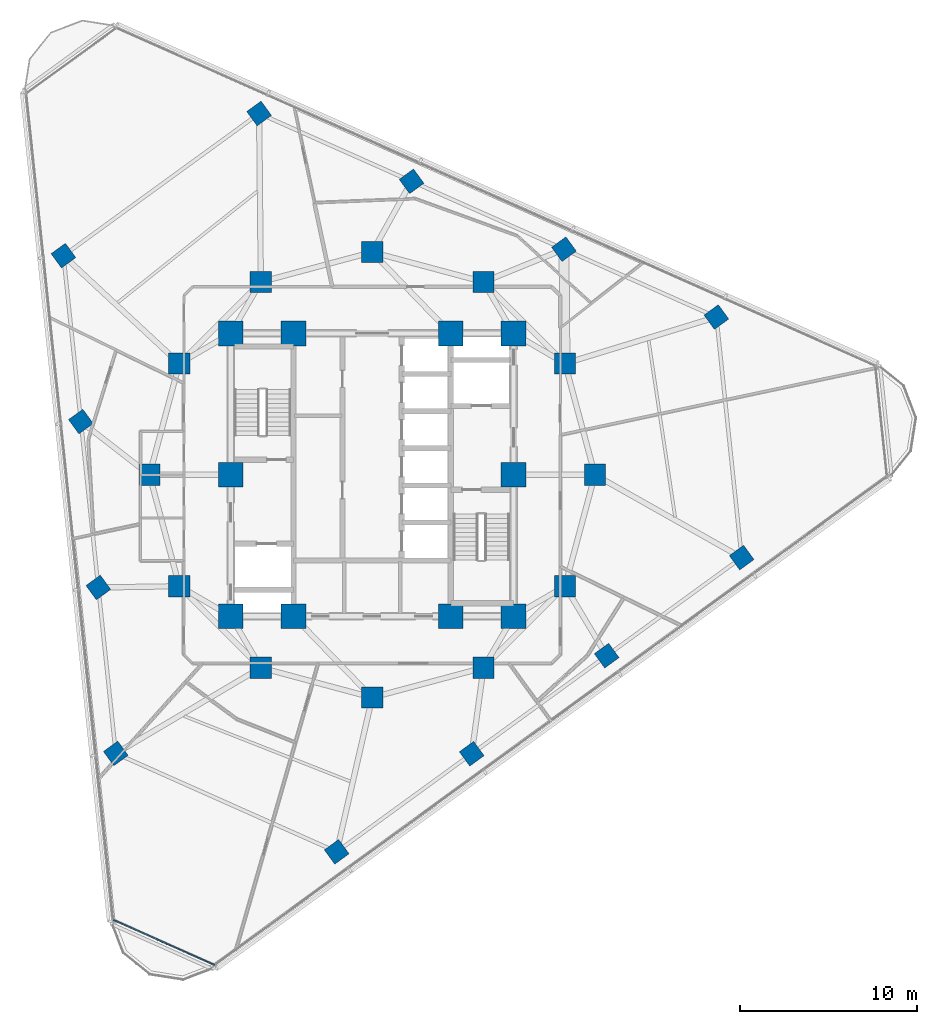
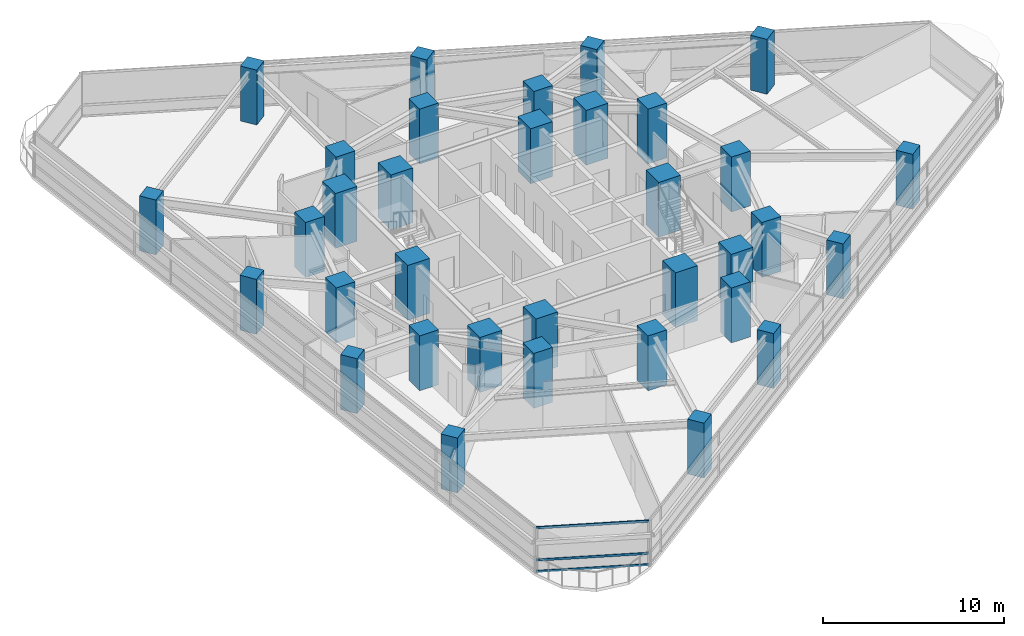
# One storey, part 1 of 14: 34 columns, 3 members, 1 element without a shape of its own.
"""IFC4 building model written with IfcOpenShell, lengths in metres."""

import ifcopenshell
import ifcopenshell.guid

model = None  # the IFC model being written
_history = None  # IfcOwnerHistory: only IFC2X3 demands one
_inside = {}  # id of a spatial element -> (the spatial element, [elements in it])
_under = {}  # id of a project, library or spatial element -> (it, [spatial elements below it])
_declared = {}  # id of a project -> (the project, [libraries it declares])
_typed = {}  # id of a type object -> (the type object, [elements of that type])
_made_of = {}  # id of a material, layer set ... -> (it, [elements and type objects made of it])


def new_model(schema):
    """Start an empty IFC model of exactly this schema.

    Asked for "IFC4X3", IfcOpenShell would pick the latest addendum, in which some entities
    have other attributes; the version numbers below select the first issue.
    IFC2X3 requires an IfcOwnerHistory on every rooted entity: one is made here for all.
    """
    global model, _history
    if schema == "IFC4X3":
        model = ifcopenshell.file(schema_version=(4, 3, 0, 0))
    else:
        model = ifcopenshell.file(schema=schema)
    _inside.clear()
    _under.clear()
    _declared.clear()
    _typed.clear()
    _made_of.clear()
    _history = None
    if model.schema == "IFC2X3":
        org = make("IfcOrganization", Name="unknown")
        user = make(
            "IfcPersonAndOrganization",
            ThePerson=make("IfcPerson", FamilyName="unknown"),
            TheOrganization=org,
        )
        app = make(
            "IfcApplication",
            ApplicationDeveloper=org,
            Version="unknown",
            ApplicationFullName="unknown",
            ApplicationIdentifier="unknown",
        )
        _history = make(
            "IfcOwnerHistory",
            OwningUser=user,
            OwningApplication=app,
            ChangeAction="ADDED",
            CreationDate=0,
        )
    return model


def make(cls, **values):
    """One entity of the class cls with the attributes given. An attribute that is None is left unset."""
    return model.create_entity(
        cls, **{name: value for name, value in values.items() if value is not None}
    )


def rooted(cls, **values):
    """An entity with a GlobalId (a new one), such as an element, a storey or a relation."""
    return make(cls, GlobalId=ifcopenshell.guid.new(), OwnerHistory=_history, **values)


def si_unit(unit_type, name, prefix=None):
    """IfcSIUnit, for example si_unit("LENGTHUNIT", "METRE", prefix="MILLI")."""
    return make("IfcSIUnit", UnitType=unit_type, Prefix=prefix, Name=name)


def assignment(units):
    """IfcUnitAssignment: the units of a project."""
    return None if units is None else make("IfcUnitAssignment", Units=units)


def point(xyz):
    """IfcCartesianPoint."""
    return None if xyz is None else make("IfcCartesianPoint", Coordinates=xyz)


def direction(xyz):
    """IfcDirection."""
    return None if xyz is None else make("IfcDirection", DirectionRatios=xyz)


def frame(location, z_axis=None, x_axis=None):
    """IfcAxis2Placement3D, a coordinate frame: its origin and axes. An axis left out is left unset."""
    return make(
        "IfcAxis2Placement3D",
        Location=point(location),
        Axis=direction(z_axis),
        RefDirection=direction(x_axis),
    )


def frame_2d(location, x_axis=None):
    """IfcAxis2Placement2D, a coordinate frame in the plane: its origin and x axis."""
    return make(
        "IfcAxis2Placement2D", Location=point(location), RefDirection=direction(x_axis)
    )


def origin():
    """The frame at (0, 0, 0) with its axes left unset."""
    return frame((0.0, 0.0, 0.0))


def origin_2d():
    """The frame at (0, 0) in the plane with its x axis left unset."""
    return frame_2d((0.0, 0.0))


def place(relative_to, where):
    """IfcLocalPlacement: puts the frame where relative to a parent placement (None: the world)."""
    return make(
        "IfcLocalPlacement", PlacementRelTo=relative_to, RelativePlacement=where
    )


def context(
    kind, dimensions, precision=None, world=None, true_north=None, identifier=None
):
    """IfcGeometricRepresentationContext, for example the 3D "Model" context."""
    return make(
        "IfcGeometricRepresentationContext",
        ContextIdentifier=identifier,
        ContextType=kind,
        CoordinateSpaceDimension=dimensions,
        Precision=precision,
        WorldCoordinateSystem=world,
        TrueNorth=true_north,
    )


def subcontext(parent, identifier, kind, view, scale=None):
    """IfcGeometricRepresentationSubContext, for example "Body" below "Model"."""
    return make(
        "IfcGeometricRepresentationSubContext",
        ContextIdentifier=identifier,
        ContextType=kind,
        ParentContext=parent,
        TargetScale=scale,
        TargetView=view,
    )


def project(units=None, contexts=None):
    """IfcProject with its units and contexts."""
    return rooted(
        "IfcProject",
        Name="project",
        RepresentationContexts=contexts,
        UnitsInContext=assignment(units),
    )


def spatial(cls, under=None, at=None, **own):
    """A site, building, storey or space (cls), placed at a placement, below another one or the project."""
    s = rooted(cls, ObjectPlacement=at, **own)
    if under is not None:
        _under.setdefault(under.id(), (under, []))[1].append(s)
    return s


def profile(cls, at=None, kind="AREA", **sizes):
    """A parametric profile (cls). Its sizes go by their IFC names, for example OverallWidth=200.0."""
    return make(cls, ProfileType=kind, Position=at, **sizes)


def rectangle(**sizes):
    """IfcRectangleProfileDef."""
    return profile("IfcRectangleProfileDef", **sizes)


def extrude(swept, where, along, depth):
    """IfcExtrudedAreaSolid: the profile swept, set in the frame where, extruded along a direction by depth."""
    return make(
        "IfcExtrudedAreaSolid",
        SweptArea=swept,
        Position=where,
        ExtrudedDirection=direction(along),
        Depth=depth,
    )


def shape(context_of_items, identifier, shape_type, items):
    """IfcShapeRepresentation: the items that make up one representation, for example the "Body"."""
    return make(
        "IfcShapeRepresentation",
        ContextOfItems=context_of_items,
        RepresentationIdentifier=identifier,
        RepresentationType=shape_type,
        Items=items,
    )


def material(Name=None, Category=None):
    """IfcMaterial."""
    return make("IfcMaterial", Name=Name, Category=Category)


def layer(
    of_material, thickness, ventilated=None, Name=None, Category=None, Priority=None
):
    """IfcMaterialLayer: one layer of a wall or slab, of a material (None: an air gap)."""
    return make(
        "IfcMaterialLayer",
        Material=of_material,
        LayerThickness=thickness,
        IsVentilated=ventilated,
        Name=Name,
        Category=Category,
        Priority=Priority,
    )


def layer_set(layers, Name=None):
    """IfcMaterialLayerSet."""
    return make("IfcMaterialLayerSet", MaterialLayers=layers, LayerSetName=Name)


def material_profile(
    of_material, cross_section, Name=None, Category=None, Priority=None
):
    """IfcMaterialProfile: a cross section and its material."""
    return make(
        "IfcMaterialProfile",
        Name=Name,
        Material=of_material,
        Profile=cross_section,
        Priority=Priority,
        Category=Category,
    )


def profile_set(profiles, Name=None, composite=None):
    """IfcMaterialProfileSet."""
    return make(
        "IfcMaterialProfileSet",
        Name=Name,
        MaterialProfiles=profiles,
        CompositeProfile=composite,
    )


def made_of(thing, what):
    """Note that an element or type object is made of a material, layer set ...; save() writes the relation."""
    if what is not None:
        _made_of.setdefault(what.id(), (what, []))[1].append(thing)
    return thing


def type_object(cls, material=None, **own):
    """A type object (cls), such as IfcWallType, which elements share."""
    return made_of(rooted(cls, **own), material)


def element(
    cls,
    number,
    at=None,
    inside=None,
    cuts=None,
    type_object=None,
    material=None,
    context=None,
    identifier="Body",
    shape_type=None,
    held_by="IfcProductDefinitionShape",
    body=None,
    shapes=None,
    **own,
):
    """One element of the class cls, such as IfcWall. Its Tag is "e" and its number.

    at: its placement. inside: the storey or other place that contains it. cuts: it is an
    opening in that element (IfcRelVoidsElement). A single representation is given by context,
    identifier, shape_type and body (its items); several are given by shapes. held_by: the class
    of the entity that holds the representations. save() writes the other relations.
    """
    e = rooted(cls, Tag="e%d" % number, ObjectPlacement=at, **own)
    if body is not None:
        shapes = [shape(context, identifier, shape_type, body)]
    if shapes is not None:
        e.Representation = make(held_by, Representations=shapes)
    if inside is not None:
        _inside.setdefault(inside.id(), (inside, []))[1].append(e)
    if cuts is not None:
        rooted(
            "IfcRelVoidsElement", RelatingBuildingElement=cuts, RelatedOpeningElement=e
        )
    if type_object is not None:
        _typed.setdefault(type_object.id(), (type_object, []))[1].append(e)
    return made_of(e, material)


def aggregate(whole, parts):
    """IfcRelAggregates: a whole, such as a stair, and the parts it consists of."""
    return rooted("IfcRelAggregates", RelatingObject=whole, RelatedObjects=parts)


def save(model, path):
    """Write the relations noted so far, then the file.

    IfcRelAggregates (storeys below a building ...), IfcRelContainedInSpatialStructure (elements
    in a storey), IfcRelDefinesByType, IfcRelAssociatesMaterial and IfcRelDeclares: one each for
    every whole, place, type object, material and project.
    """
    for whole, parts in _under.values():
        aggregate(whole, parts)
    for where, things in _inside.values():
        rooted(
            "IfcRelContainedInSpatialStructure",
            RelatedElements=things,
            RelatingStructure=where,
        )
    for kind, things in _typed.values():
        rooted("IfcRelDefinesByType", RelatedObjects=things, RelatingType=kind)
    for what, things in _made_of.values():
        rooted("IfcRelAssociatesMaterial", RelatedObjects=things, RelatingMaterial=what)
    for by, libraries in _declared.values():
        rooted("IfcRelDeclares", RelatingContext=by, RelatedDefinitions=libraries)
    model.write(path)


model = new_model("IFC4")

# Units and contexts
model_context = context("Model", 3, precision=1e-05, world=origin(), true_north=direction((0.0, 1.0)))
body_context = subcontext(model_context, "Body", "Model", "MODEL_VIEW")
ifc_project = project(units=[si_unit("LENGTHUNIT", "METRE"), si_unit("AREAUNIT", "SQUARE_METRE"), si_unit("VOLUMEUNIT", "CUBIC_METRE"), si_unit("PLANEANGLEUNIT", "RADIAN"), si_unit("MASSUNIT", "GRAM", prefix="KILO")], contexts=[model_context])

# Site, building, storey
site_placement = place(None, origin())
site = spatial("IfcSite", under=ifc_project, at=site_placement, CompositionType="ELEMENT")
building_placement = place(site_placement, origin())
building = spatial("IfcBuilding", under=site, at=building_placement, Name="Terralouvre Media Tower", CompositionType="ELEMENT")
storey_placement = place(building_placement, frame((0.0, 0.0, 173.10009765625)))
storey = spatial("IfcBuildingStorey", under=building, at=storey_placement, Name="L44", CompositionType="ELEMENT", Elevation=173.10009765625)

# Columns
ifc_material_1 = material(Name="Concrete C50/60", Category="concrete")
ifc_material_profile_1 = material_profile(ifc_material_1, rectangle(XDim=1.0, YDim=1.0, at=origin_2d()), Name="RC 1000x1000")
ifc_profile_set_1 = profile_set([ifc_material_profile_1], Name="Concrete C50/60")
column_type_1 = type_object("IfcColumnType", Name="Structural Column C-RC1000 (RC 1000x1000)", PredefinedType="COLUMN", material=ifc_profile_set_1)
for number, where, z_axis, x_axis, name in (
    (1, (-2.0068359375, -21.328369140625, 0.0), (0.0, 0.0, 1.0), (0.809016994375, 0.587785252292, 0.0), "L44 Perimeter Mega-Column PC11"),
    (2, (5.63037109375, -15.77978515625, 0.0), (0.0, 0.0, 1.0), (0.809016994375, 0.587785252292, 0.0), "L44 Perimeter Mega-Column PC12"),
    (3, (13.267578125, -10.23095703125, 0.0), (0.0, 0.0, 1.0), (0.809016994375, 0.587785252292, 0.0), "L44 Perimeter Mega-Column PC13"),
    (4, (20.904541015625, -4.682373046875, 0.0), (0.0, 0.0, 1.0), (0.809016994375, 0.587785252292, 0.0), "L44 Perimeter Mega-Column PC14"),
    (5, (19.474365234375, 8.92626953125, 0.0), (0.0, 0.0, 1.0), (0.809016994375, 0.587785252292, 0.0), "L44 Perimeter Mega-Column PC21"),
    (6, (10.850341796875, 12.765869140625, 0.0), (0.0, 0.0, 1.0), (0.809016994375, 0.587785252292, 0.0), "L44 Perimeter Mega-Column PC22"),
    (7, (2.2265625, 16.60546875, 0.0), (0.0, 0.0, 1.0), (0.809016994375, 0.587785252292, 0.0), "L44 Perimeter Mega-Column PC23"),
    (8, (-6.397216796875, 20.445068359375, 0.0), (0.0, 0.0, 1.0), (0.809016994375, 0.587785252292, 0.0), "L44 Perimeter Mega-Column PC24"),
    (9, (-17.467529296875, 12.402099609375, 0.0), (0.0, 0.0, 1.0), (0.809016994375, 0.587785252292, 0.0), "L44 Perimeter Mega-Column PC31"),
    (10, (-16.480712890625, 3.013916015625, 0.0), (0.0, 0.0, 1.0), (0.809016994375, 0.587785252292, 0.0), "L44 Perimeter Mega-Column PC32"),
    (11, (-15.494140625, -6.37451171875, 0.0), (0.0, 0.0, 1.0), (0.809016994375, 0.587785252292, 0.0), "L44 Perimeter Mega-Column PC33"),
    (12, (-14.50732421875, -15.7626953125, 0.0), (0.0, 0.0, 1.0), (0.809016994375, 0.587785252292, 0.0), "L44 Perimeter Mega-Column PC34"),
):
    element("IfcColumn", number, at=place(storey_placement, frame(where, z_axis=z_axis, x_axis=x_axis)), inside=storey, type_object=column_type_1, Name=name, PredefinedType="COLUMN", context=body_context, shape_type="SweptSolid", body=[
        extrude(rectangle(XDim=1.0, YDim=1.0, at=origin_2d()), origin(), (0.0, 0.0, 1.0), 3.699951171875),
    ])
ifc_material_2 = material(Name="Concrete C60/75", Category="concrete")
ifc_material_profile_2 = material_profile(ifc_material_2, rectangle(XDim=1.199951171875, YDim=1.199951171875, at=origin_2d()), Name="RC 1200x1200")
ifc_profile_set_2 = profile_set([ifc_material_profile_2], Name="Concrete C60/75")
column_type_2 = type_object("IfcColumnType", Name="Structural Column C-RC1200 (RC 1200x1200)", PredefinedType="COLUMN", material=ifc_profile_set_2)
for number, where, z_axis, x_axis, name in (
    (13, (12.60009765625, 0.0, 0.0), (0.0, 0.0, 1.0), (1.0, 0.0, 0.0), "L44 Mega-Frame Column MC01"),
    (14, (10.911865234375, 6.300048828125, 0.0), (0.0, 0.0, 1.0), (1.0, 0.0, 0.0), "L44 Mega-Frame Column MC02"),
    (15, (6.300048828125, 10.911865234375, 0.0), (0.0, 0.0, 1.0), (1.0, 0.0, 0.0), "L44 Mega-Frame Column MC03"),
    (16, (0.0, 12.60009765625, 0.0), (0.0, 0.0, 1.0), (1.0, 0.0, 0.0), "L44 Mega-Frame Column MC04"),
    (17, (-6.300048828125, 10.911865234375, 0.0), (0.0, 0.0, 1.0), (1.0, 0.0, 0.0), "L44 Mega-Frame Column MC05"),
    (18, (-10.911865234375, 6.300048828125, 0.0), (0.0, 0.0, 1.0), (1.0, 0.0, 0.0), "L44 Mega-Frame Column MC06"),
    (19, (-12.60009765625, 0.0, 0.0), (0.0, 0.0, 1.0), (1.0, 0.0, 0.0), "L44 Mega-Frame Column MC07"),
    (20, (-10.911865234375, -6.300048828125, 0.0), (0.0, 0.0, 1.0), (1.0, 0.0, 0.0), "L44 Mega-Frame Column MC08"),
    (21, (-6.300048828125, -10.911865234375, 0.0), (0.0, 0.0, 1.0), (1.0, 0.0, 0.0), "L44 Mega-Frame Column MC09"),
    (22, (0.0, -12.60009765625, 0.0), (0.0, 0.0, 1.0), (1.0, 0.0, 0.0), "L44 Mega-Frame Column MC10"),
    (23, (6.300048828125, -10.911865234375, 0.0), (0.0, 0.0, 1.0), (1.0, 0.0, 0.0), "L44 Mega-Frame Column MC11"),
    (24, (10.911865234375, -6.300048828125, 0.0), (0.0, 0.0, 1.0), (1.0, 0.0, 0.0), "L44 Mega-Frame Column MC12"),
):
    element("IfcColumn", number, at=place(storey_placement, frame(where, z_axis=z_axis, x_axis=x_axis)), inside=storey, type_object=column_type_2, Name=name, PredefinedType="COLUMN", context=body_context, shape_type="SweptSolid", body=[
        extrude(rectangle(XDim=1.199951171875, YDim=1.199951171875, at=origin_2d()), origin(), (0.0, 0.0, 1.0), 3.699951171875),
    ])
ifc_material_3 = material(Name="Concrete C60/75", Category="concrete")
ifc_material_profile_3 = material_profile(ifc_material_3, rectangle(XDim=1.39990234375, YDim=1.39990234375, at=origin_2d()), Name="RC 1400x1400")
ifc_profile_set_3 = profile_set([ifc_material_profile_3], Name="Concrete C60/75")
column_type_3 = type_object("IfcColumnType", Name="Structural Column C-RC1400 (RC 1400x1400)", PredefinedType="COLUMN", material=ifc_profile_set_3)
for number, where, z_axis, x_axis, name in (
    (25, (-8.0, -8.0, 0.0), (0.0, 0.0, 1.0), (1.0, 0.0, 0.0), "L44 Core Pilaster Column CP1"),
    (26, (-4.449951171875, -8.0, 0.0), (0.0, 0.0, 1.0), (1.0, 0.0, 0.0), "L44 Core Pilaster Column CP2"),
    (27, (4.449951171875, -8.0, 0.0), (0.0, 0.0, 1.0), (1.0, 0.0, 0.0), "L44 Core Pilaster Column CP10"),
    (28, (8.0, -8.0, 0.0), (0.0, 0.0, 1.0), (1.0, 0.0, 0.0), "L44 Core Pilaster Column CP3"),
    (29, (8.0, 0.0, 0.0), (0.0, 0.0, 1.0), (1.0, 0.0, 0.0), "L44 Core Pilaster Column CP4"),
    (30, (8.0, 8.0, 0.0), (0.0, 0.0, 1.0), (1.0, 0.0, 0.0), "L44 Core Pilaster Column CP5"),
    (31, (4.449951171875, 8.0, 0.0), (0.0, 0.0, 1.0), (1.0, 0.0, 0.0), "L44 Core Pilaster Column CP9"),
    (32, (-4.449951171875, 8.0, 0.0), (0.0, 0.0, 1.0), (1.0, 0.0, 0.0), "L44 Core Pilaster Column CP6"),
    (33, (-8.0, 8.0, 0.0), (0.0, 0.0, 1.0), (1.0, 0.0, 0.0), "L44 Core Pilaster Column CP7"),
    (34, (-8.0, 0.0, 0.0), (0.0, 0.0, 1.0), (1.0, 0.0, 0.0), "L44 Core Pilaster Column CP8"),
):
    element("IfcColumn", number, at=place(storey_placement, frame(where, z_axis=z_axis, x_axis=x_axis)), inside=storey, type_object=column_type_3, Name=name, PredefinedType="COLUMN", context=body_context, shape_type="SweptSolid", body=[
        extrude(rectangle(XDim=1.39990234375, YDim=1.39990234375, at=origin_2d()), origin(), (0.0, 0.0, 1.0), 3.699951171875),
    ])

# Curtain wall, members
ifc_material_4 = material(Name="Low-iron laminated double glazing with solar-control coating", Category="glass")
ifc_layer = layer(ifc_material_4, 0.1650390625, Name="Rounded Wind-Corner Curved Glazing CW-04")
ifc_layer_set = layer_set([ifc_layer], Name="Low-iron laminated double glazing with solar-control coating")
curtain_wall_type = type_object("IfcCurtainWallType", Name="Rounded Wind-Corner Curved Glazing CW-04", PredefinedType="NOTDEFINED", material=ifc_layer_set)
curtain_wall_placement = place(storey_placement, origin())
curtain_wall = element("IfcCurtainWall", 35, at=curtain_wall_placement, inside=storey, type_object=curtain_wall_type, Name="L44 Rounded Wind-Corner Curtain Wall C0", PredefinedType="NOTDEFINED")
ifc_material_5 = material(Name="Anodised extruded aluminium 6063-T6", Category="aluminium")
ifc_material_profile_4 = material_profile(ifc_material_5, rectangle(XDim=0.074951171875, YDim=0.14990234375, at=origin_2d()), Name="ALU 75x150")
ifc_profile_set_4 = profile_set([ifc_material_profile_4], Name="Anodised extruded aluminium 6063-T6")
member_type = type_object("IfcMemberType", Name="Curtain-Wall Horizontal Transom TR-150", PredefinedType="USERDEFINED", material=ifc_profile_set_4)
member_1_placement = place(storey_placement, frame((-14.63818359375, -25.184326171875, 0.037353515625), z_axis=(0.913542712087, -0.406742809639, 0.0), x_axis=(0.406742809639, 0.913542712087, 0.0)))
member_1 = element("IfcMember", 36, at=member_1_placement, type_object=member_type, Name="CW-04 transom 1.1", ObjectType="TRANSOM", PredefinedType="USERDEFINED", context=body_context, shape_type="SweptSolid", body=[
    extrude(rectangle(XDim=0.074951171875, YDim=0.14990234375, at=origin_2d()), origin(), (0.0, 0.0, 1.0), 6.258544921875),
])
member_2_placement = place(storey_placement, frame((-14.63818359375, -25.184326171875, 0.7998046875), z_axis=(0.913542712087, -0.406742809639, 0.0), x_axis=(0.406742809639, 0.913542712087, 0.0)))
member_2 = element("IfcMember", 37, at=member_2_placement, type_object=member_type, Name="CW-04 transom 1.2", ObjectType="TRANSOM", PredefinedType="USERDEFINED", context=body_context, shape_type="SweptSolid", body=[
    extrude(rectangle(XDim=0.074951171875, YDim=0.14990234375, at=origin_2d()), origin(), (0.0, 0.0, 1.0), 6.258544921875),
])
member_3_placement = place(storey_placement, frame((-14.63818359375, -25.184326171875, 2.96240234375), z_axis=(0.913542712087, -0.406742809639, 0.0), x_axis=(0.406742809639, 0.913542712087, 0.0)))
member_3 = element("IfcMember", 38, at=member_3_placement, type_object=member_type, Name="CW-04 transom 1.3", ObjectType="TRANSOM", PredefinedType="USERDEFINED", context=body_context, shape_type="SweptSolid", body=[
    extrude(rectangle(XDim=0.074951171875, YDim=0.14990234375, at=origin_2d()), origin(), (0.0, 0.0, 1.0), 6.258544921875),
])
aggregate(curtain_wall, [member_1, member_2, member_3])

save(model, "model.ifc")
